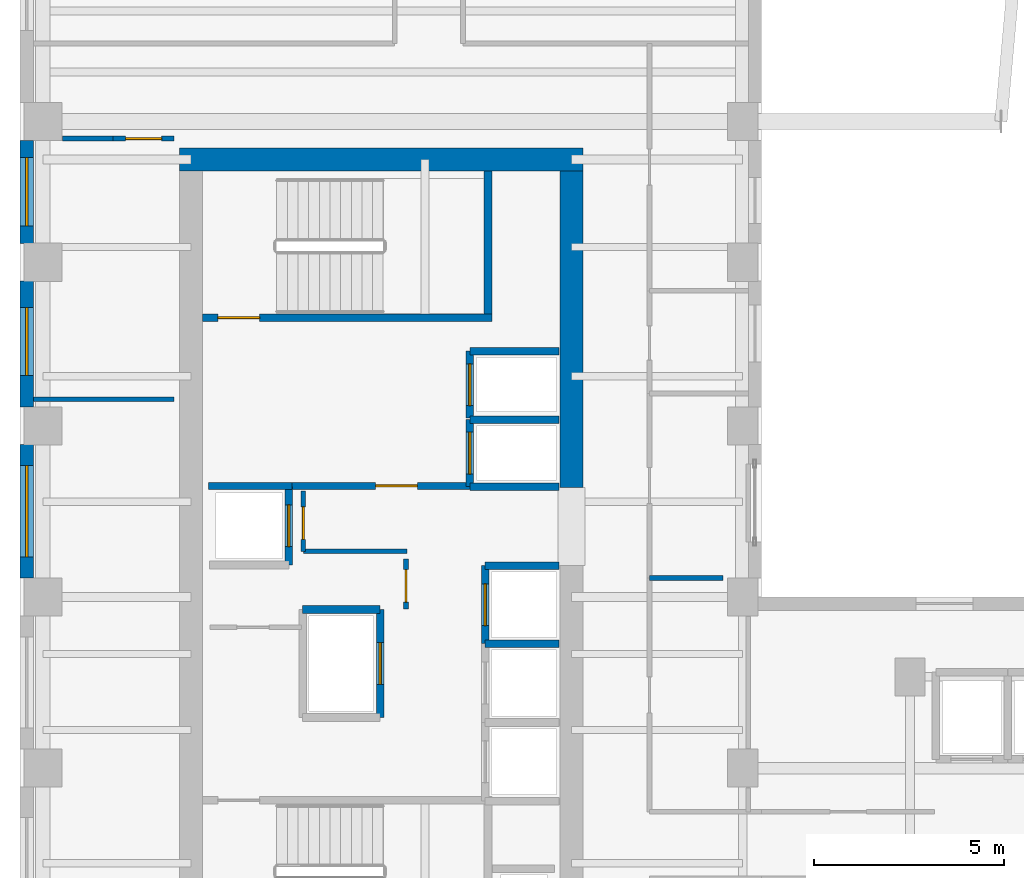
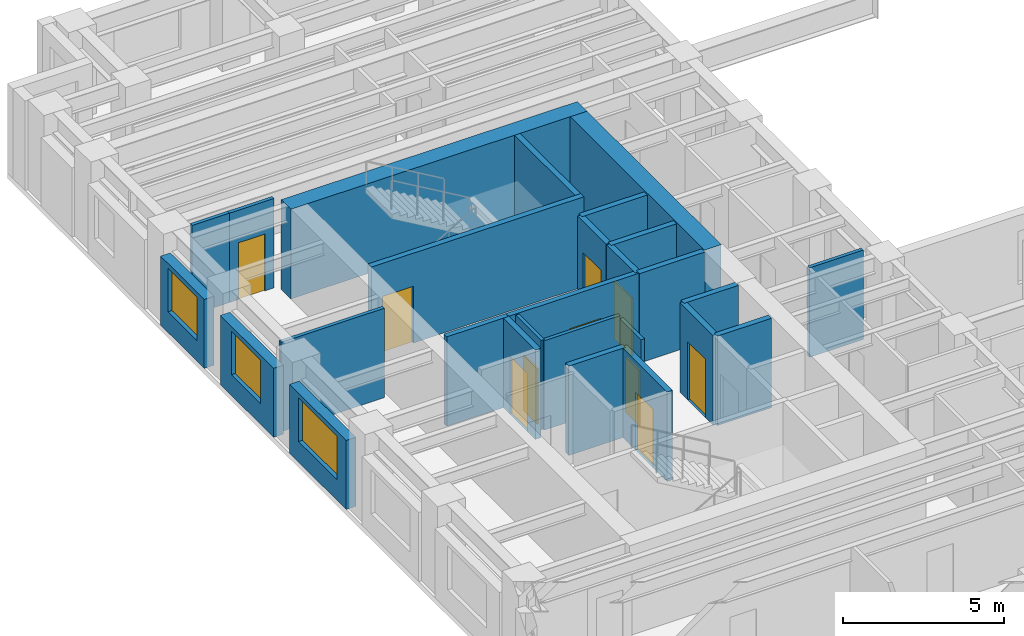
# One storey, part 7 of 13: 27 walls, 10 doors, 3 windows, 13 openings.
"""IFC4 building model written with IfcOpenShell, lengths in metres."""

import ifcopenshell
import ifcopenshell.guid

model = None  # the IFC model being written
_history = None  # IfcOwnerHistory: only IFC2X3 demands one
_inside = {}  # id of a spatial element -> (the spatial element, [elements in it])
_under = {}  # id of a project, library or spatial element -> (it, [spatial elements below it])
_declared = {}  # id of a project -> (the project, [libraries it declares])
_typed = {}  # id of a type object -> (the type object, [elements of that type])
_made_of = {}  # id of a material, layer set ... -> (it, [elements and type objects made of it])


def new_model(schema):
    """Start an empty IFC model of exactly this schema.

    Asked for "IFC4X3", IfcOpenShell would pick the latest addendum, in which some entities
    have other attributes; the version numbers below select the first issue.
    IFC2X3 requires an IfcOwnerHistory on every rooted entity: one is made here for all.
    """
    global model, _history
    if schema == "IFC4X3":
        model = ifcopenshell.file(schema_version=(4, 3, 0, 0))
    else:
        model = ifcopenshell.file(schema=schema)
    _inside.clear()
    _under.clear()
    _declared.clear()
    _typed.clear()
    _made_of.clear()
    _history = None
    if model.schema == "IFC2X3":
        org = make("IfcOrganization", Name="unknown")
        user = make(
            "IfcPersonAndOrganization",
            ThePerson=make("IfcPerson", FamilyName="unknown"),
            TheOrganization=org,
        )
        app = make(
            "IfcApplication",
            ApplicationDeveloper=org,
            Version="unknown",
            ApplicationFullName="unknown",
            ApplicationIdentifier="unknown",
        )
        _history = make(
            "IfcOwnerHistory",
            OwningUser=user,
            OwningApplication=app,
            ChangeAction="ADDED",
            CreationDate=0,
        )
    return model


def make(cls, **values):
    """One entity of the class cls with the attributes given. An attribute that is None is left unset."""
    return model.create_entity(
        cls, **{name: value for name, value in values.items() if value is not None}
    )


def rooted(cls, **values):
    """An entity with a GlobalId (a new one), such as an element, a storey or a relation."""
    return make(cls, GlobalId=ifcopenshell.guid.new(), OwnerHistory=_history, **values)


def si_unit(unit_type, name, prefix=None):
    """IfcSIUnit, for example si_unit("LENGTHUNIT", "METRE", prefix="MILLI")."""
    return make("IfcSIUnit", UnitType=unit_type, Prefix=prefix, Name=name)


def assignment(units):
    """IfcUnitAssignment: the units of a project."""
    return None if units is None else make("IfcUnitAssignment", Units=units)


def point(xyz):
    """IfcCartesianPoint."""
    return None if xyz is None else make("IfcCartesianPoint", Coordinates=xyz)


def direction(xyz):
    """IfcDirection."""
    return None if xyz is None else make("IfcDirection", DirectionRatios=xyz)


def frame(location, z_axis=None, x_axis=None):
    """IfcAxis2Placement3D, a coordinate frame: its origin and axes. An axis left out is left unset."""
    return make(
        "IfcAxis2Placement3D",
        Location=point(location),
        Axis=direction(z_axis),
        RefDirection=direction(x_axis),
    )


def frame_2d(location, x_axis=None):
    """IfcAxis2Placement2D, a coordinate frame in the plane: its origin and x axis."""
    return make(
        "IfcAxis2Placement2D", Location=point(location), RefDirection=direction(x_axis)
    )


def origin():
    """The frame at (0, 0, 0) with its axes left unset."""
    return frame((0.0, 0.0, 0.0))


def place(relative_to, where):
    """IfcLocalPlacement: puts the frame where relative to a parent placement (None: the world)."""
    return make(
        "IfcLocalPlacement", PlacementRelTo=relative_to, RelativePlacement=where
    )


def context(
    kind, dimensions, precision=None, world=None, true_north=None, identifier=None
):
    """IfcGeometricRepresentationContext, for example the 3D "Model" context."""
    return make(
        "IfcGeometricRepresentationContext",
        ContextIdentifier=identifier,
        ContextType=kind,
        CoordinateSpaceDimension=dimensions,
        Precision=precision,
        WorldCoordinateSystem=world,
        TrueNorth=true_north,
    )


def subcontext(parent, identifier, kind, view, scale=None):
    """IfcGeometricRepresentationSubContext, for example "Body" below "Model"."""
    return make(
        "IfcGeometricRepresentationSubContext",
        ContextIdentifier=identifier,
        ContextType=kind,
        ParentContext=parent,
        TargetScale=scale,
        TargetView=view,
    )


def project(units=None, contexts=None):
    """IfcProject with its units and contexts."""
    return rooted(
        "IfcProject",
        Name="project",
        RepresentationContexts=contexts,
        UnitsInContext=assignment(units),
    )


def spatial(cls, under=None, at=None, **own):
    """A site, building, storey or space (cls), placed at a placement, below another one or the project."""
    s = rooted(cls, ObjectPlacement=at, **own)
    if under is not None:
        _under.setdefault(under.id(), (under, []))[1].append(s)
    return s


def profile(cls, at=None, kind="AREA", **sizes):
    """A parametric profile (cls). Its sizes go by their IFC names, for example OverallWidth=200.0."""
    return make(cls, ProfileType=kind, Position=at, **sizes)


def rectangle(**sizes):
    """IfcRectangleProfileDef."""
    return profile("IfcRectangleProfileDef", **sizes)


def extrude(swept, where, along, depth):
    """IfcExtrudedAreaSolid: the profile swept, set in the frame where, extruded along a direction by depth."""
    return make(
        "IfcExtrudedAreaSolid",
        SweptArea=swept,
        Position=where,
        ExtrudedDirection=direction(along),
        Depth=depth,
    )


def shape(context_of_items, identifier, shape_type, items):
    """IfcShapeRepresentation: the items that make up one representation, for example the "Body"."""
    return make(
        "IfcShapeRepresentation",
        ContextOfItems=context_of_items,
        RepresentationIdentifier=identifier,
        RepresentationType=shape_type,
        Items=items,
    )


def source(mapping_origin, context_of_items, identifier, shape_type, items):
    """IfcRepresentationMap: a shape defined once, which mapped items show again and again."""
    return make(
        "IfcRepresentationMap",
        MappingOrigin=mapping_origin,
        MappedRepresentation=shape(context_of_items, identifier, shape_type, items),
    )


def transform(
    local_origin,
    x_axis=None,
    y_axis=None,
    z_axis=None,
    scale=None,
    scale2=None,
    scale3=None,
    uniform=True,
):
    """IfcCartesianTransformationOperator3D, or its non-uniform kind. x_axis, y_axis, z_axis: its Axis1, 2, 3."""
    if uniform:
        return make(
            "IfcCartesianTransformationOperator3D",
            Axis1=direction(x_axis),
            Axis2=direction(y_axis),
            LocalOrigin=point(local_origin),
            Scale=scale,
            Axis3=direction(z_axis),
        )
    return make(
        "IfcCartesianTransformationOperator3DnonUniform",
        Axis1=direction(x_axis),
        Axis2=direction(y_axis),
        LocalOrigin=point(local_origin),
        Scale=scale,
        Axis3=direction(z_axis),
        Scale2=scale2,
        Scale3=scale3,
    )


def mapped(mapping_source, mapping_target):
    """IfcMappedItem: shows the shape of a source again, moved by a transform."""
    return make(
        "IfcMappedItem", MappingSource=mapping_source, MappingTarget=mapping_target
    )


def material(Name=None, Category=None):
    """IfcMaterial."""
    return make("IfcMaterial", Name=Name, Category=Category)


def layer(
    of_material, thickness, ventilated=None, Name=None, Category=None, Priority=None
):
    """IfcMaterialLayer: one layer of a wall or slab, of a material (None: an air gap)."""
    return make(
        "IfcMaterialLayer",
        Material=of_material,
        LayerThickness=thickness,
        IsVentilated=ventilated,
        Name=Name,
        Category=Category,
        Priority=Priority,
    )


def layer_set(layers, Name=None):
    """IfcMaterialLayerSet."""
    return make("IfcMaterialLayerSet", MaterialLayers=layers, LayerSetName=Name)


def made_of(thing, what):
    """Note that an element or type object is made of a material, layer set ...; save() writes the relation."""
    if what is not None:
        _made_of.setdefault(what.id(), (what, []))[1].append(thing)
    return thing


def type_object(cls, material=None, **own):
    """A type object (cls), such as IfcWallType, which elements share."""
    return made_of(rooted(cls, **own), material)


def element(
    cls,
    number,
    at=None,
    inside=None,
    cuts=None,
    type_object=None,
    material=None,
    context=None,
    identifier="Body",
    shape_type=None,
    held_by="IfcProductDefinitionShape",
    body=None,
    shapes=None,
    **own,
):
    """One element of the class cls, such as IfcWall. Its Tag is "e" and its number.

    at: its placement. inside: the storey or other place that contains it. cuts: it is an
    opening in that element (IfcRelVoidsElement). A single representation is given by context,
    identifier, shape_type and body (its items); several are given by shapes. held_by: the class
    of the entity that holds the representations. save() writes the other relations.
    """
    e = rooted(cls, Tag="e%d" % number, ObjectPlacement=at, **own)
    if body is not None:
        shapes = [shape(context, identifier, shape_type, body)]
    if shapes is not None:
        e.Representation = make(held_by, Representations=shapes)
    if inside is not None:
        _inside.setdefault(inside.id(), (inside, []))[1].append(e)
    if cuts is not None:
        rooted(
            "IfcRelVoidsElement", RelatingBuildingElement=cuts, RelatedOpeningElement=e
        )
    if type_object is not None:
        _typed.setdefault(type_object.id(), (type_object, []))[1].append(e)
    return made_of(e, material)


def fill(opening, filler):
    """IfcRelFillsElement: the door or window that sits in an opening."""
    return rooted(
        "IfcRelFillsElement",
        RelatingOpeningElement=opening,
        RelatedBuildingElement=filler,
    )


def aggregate(whole, parts):
    """IfcRelAggregates: a whole, such as a stair, and the parts it consists of."""
    return rooted("IfcRelAggregates", RelatingObject=whole, RelatedObjects=parts)


def save(model, path):
    """Write the relations noted so far, then the file.

    IfcRelAggregates (storeys below a building ...), IfcRelContainedInSpatialStructure (elements
    in a storey), IfcRelDefinesByType, IfcRelAssociatesMaterial and IfcRelDeclares: one each for
    every whole, place, type object, material and project.
    """
    for whole, parts in _under.values():
        aggregate(whole, parts)
    for where, things in _inside.values():
        rooted(
            "IfcRelContainedInSpatialStructure",
            RelatedElements=things,
            RelatingStructure=where,
        )
    for kind, things in _typed.values():
        rooted("IfcRelDefinesByType", RelatedObjects=things, RelatingType=kind)
    for what, things in _made_of.values():
        rooted("IfcRelAssociatesMaterial", RelatedObjects=things, RelatingMaterial=what)
    for by, libraries in _declared.values():
        rooted("IfcRelDeclares", RelatingContext=by, RelatedDefinitions=libraries)
    model.write(path)


model = new_model("IFC4")

# Units and contexts
model_context = context("Model", 3, precision=1e-05, world=origin(), true_north=direction((0.0, 1.0)))
body_context = subcontext(model_context, "Body", "Model", "MODEL_VIEW")
ifc_project = project(units=[si_unit("LENGTHUNIT", "METRE"), si_unit("AREAUNIT", "SQUARE_METRE"), si_unit("VOLUMEUNIT", "CUBIC_METRE"), si_unit("PLANEANGLEUNIT", "RADIAN"), si_unit("MASSUNIT", "GRAM", prefix="KILO")], contexts=[model_context])

# Site, building, storey
site_placement = place(None, origin())
site = spatial("IfcSite", under=ifc_project, at=site_placement, CompositionType="ELEMENT")
building_placement = place(site_placement, origin())
building = spatial("IfcBuilding", under=site, at=building_placement, Name="Kharzan Plaza Tower", CompositionType="ELEMENT")
storey_placement = place(building_placement, frame((0.0, 0.0, 153.89990234375)))
storey = spatial("IfcBuildingStorey", under=building, at=storey_placement, Name="L41", CompositionType="ELEMENT", Elevation=153.89990234375)

# Wall, opening, window
ifc_material_1 = material(Name="Concrete C40/50", Category="concrete")
ifc_layer_1 = layer(ifc_material_1, 0.35009765625)
ifc_layer_set_1 = layer_set([ifc_layer_1], Name="Concrete C40/50")
wall_type_1 = type_object("IfcWallType", Name="WL-EXT-MAS-Z3", PredefinedType="SOLIDWALL", material=ifc_layer_set_1)
wall_1_placement = place(storey_placement, frame((0.175048828125, 30.001953125, 0.0), z_axis=(0.0, 0.0, 1.0), x_axis=(0.0, -1.0, 0.0)))
wall_1 = element("IfcWall", 1, at=wall_1_placement, inside=storey, type_object=wall_type_1, Name="L41 Masonry-Frame Exterior Wall 12", PredefinedType="SOLIDWALL", context=body_context, shape_type="SweptSolid", body=[
    extrude(rectangle(XDim=2.703857421875, YDim=0.35009765625, at=frame_2d((1.35205078125, 0.0))), origin(), (0.0, 0.0, 1.0), 2.612060546875),
])
opening_1_placement = place(wall_1_placement, frame((0.451904296875, 0.0, 0.780029296875)))
opening_1 = element("IfcOpeningElement", 2, at=opening_1_placement, cuts=wall_1, Name="Opening W1", PredefinedType="OPENING", context=body_context, shape_type="SweptSolid", body=[
    extrude(rectangle(XDim=1.800048828125, YDim=1.652099609375, at=frame_2d((0.89990234375, 0.826171875))), frame((0.0, 0.18505859375, 0.0), z_axis=(0.0, -1.0, 0.0), x_axis=(1.0, 0.0, 0.0)), (0.0, 0.0, 1.0), 0.3701171875),
])
ifc_material_2 = material(Name="Low-E Double Glazing", Category="glass")
window_type_1 = type_object("IfcWindowType", Name="WN-REC-1800x2100", PartitioningType="SINGLE_PANEL", PredefinedType="WINDOW", material=ifc_material_2)
shared_shape_1 = source(origin(), body_context, "Body", "SweptSolid", [
    extrude(rectangle(XDim=1.800048828125, YDim=1.652099609375, at=frame_2d((0.89990234375, 0.826171875))), frame((0.0, 0.030029296875, 0.0), z_axis=(0.0, -1.0, 0.0), x_axis=(1.0, 0.0, 0.0)), (0.0, 0.0, 1.0), 0.06005859375),
])
window_1_placement = place(opening_1_placement, origin())
window_1 = element("IfcWindow", 3, at=window_1_placement, inside=storey, type_object=window_type_1, Name="L41 Recessed Solar-Control Window 12-1", OverallHeight=1.652099609375, OverallWidth=1.800048828125, PartitioningType="SINGLE_PANEL", PredefinedType="WINDOW", context=body_context, shape_type="MappedRepresentation", body=[
    mapped(shared_shape_1, transform((0.0, 0.0, 0.0), x_axis=(1.0, 0.0, 0.0), y_axis=(0.0, 1.0, 0.0), z_axis=(0.0, 0.0, 1.0))),
])
fill(opening_1, window_1)

wall_2_placement = place(storey_placement, frame((0.175048828125, 26.302001953125, 0.0), z_axis=(0.0, 0.0, 1.0), x_axis=(0.0, -1.0, 0.0)))
wall_2 = element("IfcWall", 4, at=wall_2_placement, inside=storey, type_object=wall_type_1, Name="L41 Masonry-Frame Exterior Wall 13", PredefinedType="SOLIDWALL", context=body_context, shape_type="SweptSolid", body=[
    extrude(rectangle(XDim=3.303955078125, YDim=0.35009765625, at=frame_2d((1.65185546875, 0.0))), origin(), (0.0, 0.0, 1.0), 2.612060546875),
])
opening_2_placement = place(wall_2_placement, frame((0.68603515625, 0.0, 0.780029296875)))
opening_2 = element("IfcOpeningElement", 5, at=opening_2_placement, cuts=wall_2, Name="Opening W1", PredefinedType="OPENING", context=body_context, shape_type="SweptSolid", body=[
    extrude(rectangle(XDim=1.800048828125, YDim=1.652099609375, at=frame_2d((0.89990234375, 0.826171875))), frame((0.0, 0.18505859375, 0.0), z_axis=(0.0, -1.0, 0.0), x_axis=(1.0, 0.0, 0.0)), (0.0, 0.0, 1.0), 0.3701171875),
])
window_2_placement = place(opening_2_placement, origin())
window_2 = element("IfcWindow", 6, at=window_2_placement, inside=storey, type_object=window_type_1, Name="L41 Recessed Solar-Control Window 13-1", OverallHeight=1.652099609375, OverallWidth=1.800048828125, PartitioningType="SINGLE_PANEL", PredefinedType="WINDOW", context=body_context, shape_type="MappedRepresentation", body=[
    mapped(shared_shape_1, transform((0.0, 0.0, 0.0), x_axis=(1.0, 0.0, 0.0), y_axis=(0.0, 1.0, 0.0), z_axis=(0.0, 0.0, 1.0))),
])
fill(opening_2, window_2)

wall_3_placement = place(storey_placement, frame((0.175048828125, 22.001953125, 0.0), z_axis=(0.0, 0.0, 1.0), x_axis=(0.0, -1.0, 0.0)))
wall_3 = element("IfcWall", 7, at=wall_3_placement, inside=storey, type_object=wall_type_1, Name="L41 Masonry-Frame Exterior Wall 14", PredefinedType="SOLIDWALL", context=body_context, shape_type="SweptSolid", body=[
    extrude(rectangle(XDim=3.50390625, YDim=0.35009765625, at=frame_2d((1.751953125, 0.0))), origin(), (0.0, 0.0, 1.0), 2.612060546875),
])
opening_3_placement = place(wall_3_placement, frame((0.552001953125, 0.0, 0.780029296875)))
opening_3 = element("IfcOpeningElement", 8, at=opening_3_placement, cuts=wall_3, Name="Opening W2", PredefinedType="OPENING", context=body_context, shape_type="SweptSolid", body=[
    extrude(rectangle(XDim=2.39990234375, YDim=1.652099609375, at=frame_2d((1.199951171875, 0.826171875))), frame((0.0, 0.18505859375, 0.0), z_axis=(0.0, -1.0, 0.0), x_axis=(1.0, 0.0, 0.0)), (0.0, 0.0, 1.0), 0.3701171875),
])
window_type_2 = type_object("IfcWindowType", Name="WN-REC-2400x2100", PartitioningType="SINGLE_PANEL", PredefinedType="WINDOW", material=ifc_material_2)
shared_shape_2 = source(origin(), body_context, "Body", "SweptSolid", [
    extrude(rectangle(XDim=2.39990234375, YDim=1.652099609375, at=frame_2d((1.199951171875, 0.826171875))), frame((0.0, 0.030029296875, 0.0), z_axis=(0.0, -1.0, 0.0), x_axis=(1.0, 0.0, 0.0)), (0.0, 0.0, 1.0), 0.06005859375),
])
window_3_placement = place(opening_3_placement, origin())
window_3 = element("IfcWindow", 9, at=window_3_placement, inside=storey, type_object=window_type_2, Name="L41 Wide Recessed Solar-Control Window 14-1", OverallHeight=1.652099609375, OverallWidth=2.39990234375, PartitioningType="SINGLE_PANEL", PredefinedType="WINDOW", context=body_context, shape_type="MappedRepresentation", body=[
    mapped(shared_shape_2, transform((0.0, 0.0, 0.0), x_axis=(1.0, 0.0, 0.0), y_axis=(0.0, 1.0, 0.0), z_axis=(0.0, 0.0, 1.0))),
])
fill(opening_3, window_3)

# Wall, opening, door
ifc_layer_2 = layer(ifc_material_1, 0.179931640625)
ifc_layer_set_2 = layer_set([ifc_layer_2], Name="Concrete C40/50")
wall_type_2 = type_object("IfcWallType", Name="WL-INT-FIRE-180", PredefinedType="PARTITIONING", material=ifc_layer_set_2)
wall_4_placement = place(storey_placement, frame((7.14990234375, 20.919921875, 0.0), z_axis=(0.0, 0.0, 1.0), x_axis=(1.0, 0.0, 0.0)))
wall_4 = element("IfcWall", 10, at=wall_4_placement, inside=storey, type_object=wall_type_2, Name="L41 Interior Partition CA-FF-S", PredefinedType="PARTITIONING", context=body_context, shape_type="SweptSolid", body=[
    extrude(rectangle(XDim=4.68017578125, YDim=0.179931640625, at=frame_2d((2.340087890625, 0.0))), origin(), (0.0, 0.0, 1.0), 3.385009765625),
])
opening_4_placement = place(wall_4_placement, frame((2.199951171875, 0.0, 0.0)))
opening_4 = element("IfcOpeningElement", 11, at=opening_4_placement, cuts=wall_4, Name="Opening FD1", PredefinedType="OPENING", context=body_context, shape_type="SweptSolid", body=[
    extrude(rectangle(XDim=1.10009765625, YDim=2.14990234375, at=frame_2d((0.550048828125, 1.074951171875))), frame((0.0, 0.099853515625, 0.0), z_axis=(0.0, -1.0, 0.0), x_axis=(1.0, 0.0, 0.0)), (0.0, 0.0, 1.0), 0.199951171875),
])
ifc_material_3 = material(Name="Fire-Rated Acoustic Vision-Panel Steel", Category="steel")
door_type_1 = type_object("IfcDoorType", Name="DR-FIRE-LOBBY", OperationType="NOTDEFINED", PredefinedType="DOOR", material=ifc_material_3)
shared_shape_3 = source(origin(), body_context, "Body", "SweptSolid", [
    extrude(rectangle(XDim=1.10009765625, YDim=2.14990234375, at=frame_2d((0.550048828125, 1.074951171875))), frame((0.0, 0.02490234375, 0.0), z_axis=(0.0, -1.0, 0.0), x_axis=(1.0, 0.0, 0.0)), (0.0, 0.0, 1.0), 0.050048828125),
])
door_1_placement = place(opening_4_placement, origin())
door_1 = element("IfcDoor", 12, at=door_1_placement, inside=storey, type_object=door_type_1, Name="L41 Firefighting Lobby Door", OperationType="SINGLE_SWING_LEFT", OverallHeight=2.14990234375, OverallWidth=1.10009765625, PredefinedType="DOOR", context=body_context, shape_type="MappedRepresentation", body=[
    mapped(shared_shape_3, transform((0.0, 0.0, 0.0), x_axis=(1.0, 0.0, 0.0), y_axis=(0.0, 1.0, 0.0), z_axis=(0.0, 0.0, 1.0))),
])
fill(opening_4, door_1)

ifc_material_4 = material(Name="Fire-Rated Gypsum Board Partition", Category="gypsum")
ifc_layer_3 = layer(ifc_material_4, 0.125)
ifc_layer_set_3 = layer_set([ifc_layer_3], Name="Fire-Rated Gypsum Board Partition")
wall_type_3 = type_object("IfcWallType", Name="WL-INT-PART-125", PredefinedType="PARTITIONING", material=ifc_layer_set_3)
wall_5_placement = place(storey_placement, frame((10.14990234375, 17.679931640625, 0.0), z_axis=(0.0, 0.0, 1.0), x_axis=(0.0, 1.0, 0.0)))
wall_5 = element("IfcWall", 13, at=wall_5_placement, inside=storey, type_object=wall_type_3, Name="L41 Interior Partition CA-K2A", PredefinedType="PARTITIONING", context=body_context, shape_type="SweptSolid", body=[
    extrude(rectangle(XDim=1.320068359375, YDim=0.125, at=frame_2d((0.66015625, 0.0))), origin(), (0.0, 0.0, 1.0), 3.385009765625),
])
opening_5_placement = place(wall_5_placement, frame((0.18505859375, 0.0, 0.0)))
opening_5 = element("IfcOpeningElement", 14, at=opening_5_placement, cuts=wall_5, Name="Opening RD1", PredefinedType="OPENING", context=body_context, shape_type="SweptSolid", body=[
    extrude(rectangle(XDim=0.85009765625, YDim=2.10009765625, at=frame_2d((0.425048828125, 1.050048828125))), frame((0.0, 0.072509765625, 0.0), z_axis=(0.0, -1.0, 0.0), x_axis=(1.0, 0.0, 0.0)), (0.0, 0.0, 1.0), 0.14501953125),
])
ifc_material_5 = material(Name="Powder-Coated Fire-Rated Steel", Category="steel")
door_type_2 = type_object("IfcDoorType", Name="DR-RISER-900", OperationType="NOTDEFINED", PredefinedType="DOOR", material=ifc_material_5)
shared_shape_4 = source(origin(), body_context, "Body", "SweptSolid", [
    extrude(rectangle(XDim=0.85009765625, YDim=2.10009765625, at=frame_2d((0.425048828125, 1.050048828125))), frame((0.0, 0.02490234375, 0.0), z_axis=(0.0, -1.0, 0.0), x_axis=(1.0, 0.0, 0.0)), (0.0, 0.0, 1.0), 0.050048828125),
])
door_2_placement = place(opening_5_placement, origin())
door_2 = element("IfcDoor", 15, at=door_2_placement, inside=storey, type_object=door_type_2, Name="L41 Core Mechanical Store Door", OperationType="SINGLE_SWING_RIGHT", OverallHeight=2.10009765625, OverallWidth=0.85009765625, PredefinedType="DOOR", context=body_context, shape_type="MappedRepresentation", body=[
    mapped(shared_shape_4, transform((0.0, 0.0, 0.0), x_axis=(1.0, 0.0, 0.0), y_axis=(0.0, 1.0, 0.0), z_axis=(0.0, 0.0, 1.0))),
])
fill(opening_5, door_2)

wall_6_placement = place(storey_placement, frame((7.449951171875, 19.199951171875, 0.0), z_axis=(0.0, 0.0, 1.0), x_axis=(0.0, 1.0, 0.0)))
wall_6 = element("IfcWall", 16, at=wall_6_placement, inside=storey, type_object=wall_type_3, Name="L41 Interior Partition CA-K2B", PredefinedType="PARTITIONING", context=body_context, shape_type="SweptSolid", body=[
    extrude(rectangle(XDim=1.580078125, YDim=0.125, at=frame_2d((0.7900390625, 0.0))), origin(), (0.0, 0.0, 1.0), 3.385009765625),
])
opening_6_placement = place(wall_6_placement, frame((0.31494140625, 0.0, 0.0)))
opening_6 = element("IfcOpeningElement", 17, at=opening_6_placement, cuts=wall_6, Name="Opening RD1", PredefinedType="OPENING", context=body_context, shape_type="SweptSolid", body=[
    extrude(rectangle(XDim=0.85009765625, YDim=2.10009765625, at=frame_2d((0.425048828125, 1.050048828125))), frame((0.0, 0.072509765625, 0.0), z_axis=(0.0, -1.0, 0.0), x_axis=(1.0, 0.0, 0.0)), (0.0, 0.0, 1.0), 0.14501953125),
])
door_3_placement = place(opening_6_placement, origin())
door_3 = element("IfcDoor", 18, at=door_3_placement, inside=storey, type_object=door_type_2, Name="L41 Core Plant Store Door", OperationType="SINGLE_SWING_LEFT", OverallHeight=2.10009765625, OverallWidth=0.85009765625, PredefinedType="DOOR", context=body_context, shape_type="MappedRepresentation", body=[
    mapped(shared_shape_4, transform((0.0, 0.0, 0.0), x_axis=(1.0, 0.0, 0.0), y_axis=(0.0, 1.0, 0.0), z_axis=(0.0, 0.0, 1.0))),
])
fill(opening_6, door_3)

wall_7_placement = place(storey_placement, frame((2.449951171875, 30.050048828125, 0.0), z_axis=(0.0, 0.0, 1.0), x_axis=(1.0, 0.0, 0.0)))
wall_7 = element("IfcWall", 19, at=wall_7_placement, inside=storey, type_object=wall_type_3, Name="L41 Interior Partition SH-RWND", PredefinedType="PARTITIONING", context=body_context, shape_type="SweptSolid", body=[
    extrude(rectangle(XDim=1.60009765625, YDim=0.125, at=frame_2d((0.800048828125, 0.0))), origin(), (0.0, 0.0, 1.0), 3.385009765625),
])
opening_7_placement = place(wall_7_placement, frame((0.324951171875, 0.0, 0.0)))
opening_7 = element("IfcOpeningElement", 20, at=opening_7_placement, cuts=wall_7, Name="Opening OD1", PredefinedType="OPENING", context=body_context, shape_type="SweptSolid", body=[
    extrude(rectangle(XDim=0.949951171875, YDim=2.14990234375, at=frame_2d((0.47509765625, 1.074951171875))), frame((0.0, 0.072509765625, 0.0), z_axis=(0.0, -1.0, 0.0), x_axis=(1.0, 0.0, 0.0)), (0.0, 0.0, 1.0), 0.14501953125),
])
ifc_material_6 = material(Name="Acoustic Solid-Core Stained Oak", Category="timber")
door_type_3 = type_object("IfcDoorType", Name="DR-OFF-SINGLE", OperationType="NOTDEFINED", PredefinedType="DOOR", material=ifc_material_6)
shared_shape_5 = source(origin(), body_context, "Body", "SweptSolid", [
    extrude(rectangle(XDim=0.949951171875, YDim=2.14990234375, at=frame_2d((0.47509765625, 1.074951171875))), frame((0.0, 0.02490234375, 0.0), z_axis=(0.0, -1.0, 0.0), x_axis=(1.0, 0.0, 0.0)), (0.0, 0.0, 1.0), 0.050048828125),
])
door_4_placement = place(opening_7_placement, origin())
door_4 = element("IfcDoor", 21, at=door_4_placement, inside=storey, type_object=door_type_3, Name="L41 West Office 2 Door", OperationType="SINGLE_SWING_LEFT", OverallHeight=2.14990234375, OverallWidth=0.949951171875, PredefinedType="DOOR", context=body_context, shape_type="MappedRepresentation", body=[
    mapped(shared_shape_5, transform((0.0, 0.0, 0.0), x_axis=(1.0, 0.0, 0.0), y_axis=(0.0, 1.0, 0.0), z_axis=(0.0, 0.0, 1.0))),
])
fill(opening_7, door_4)

ifc_layer_4 = layer(ifc_material_1, 0.199951171875)
ifc_layer_set_4 = layer_set([ifc_layer_4], Name="Concrete C40/50")
wall_type_4 = type_object("IfcWallType", Name="WL-INT-SHAFT-200", PredefinedType="PARTITIONING", material=ifc_layer_set_4)
wall_8_placement = place(storey_placement, frame((11.830078125, 20.89990234375, 0.0), z_axis=(0.0, 0.0, 1.0), x_axis=(0.0, 1.0, 0.0)))
wall_8 = element("IfcWall", 22, at=wall_8_placement, inside=storey, type_object=wall_type_4, Name="L41 Interior Partition SHF-FFL-1-W", PredefinedType="PARTITIONING", context=body_context, shape_type="SweptSolid", body=[
    extrude(rectangle(XDim=1.760009765625, YDim=0.199951171875, at=frame_2d((0.8798828125, 0.0))), origin(), (0.0, 0.0, 1.0), 3.385009765625),
])
opening_8_placement = place(wall_8_placement, frame((0.330078125, 0.0, 0.0)))
opening_8 = element("IfcOpeningElement", 23, at=opening_8_placement, cuts=wall_8, Name="Opening LD", PredefinedType="OPENING", context=body_context, shape_type="SweptSolid", body=[
    extrude(rectangle(XDim=1.10009765625, YDim=2.199951171875, at=frame_2d((0.550048828125, 1.10009765625))), frame((0.0, 0.10986328125, 0.0), z_axis=(0.0, -1.0, 0.0), x_axis=(1.0, 0.0, 0.0)), (0.0, 0.0, 1.0), 0.219970703125),
])
ifc_material_7 = material(Name="Brushed Stainless Steel", Category="steel")
door_type_4 = type_object("IfcDoorType", Name="DR-LIFT-SLIDE", OperationType="SLIDING_TO_LEFT", PredefinedType="DOOR", material=ifc_material_7)
shared_shape_6 = source(origin(), body_context, "Body", "SweptSolid", [
    extrude(rectangle(XDim=1.10009765625, YDim=2.199951171875, at=frame_2d((0.550048828125, 1.10009765625))), frame((0.0, 0.02490234375, 0.0), z_axis=(0.0, -1.0, 0.0), x_axis=(1.0, 0.0, 0.0)), (0.0, 0.0, 1.0), 0.050048828125),
])
door_5_placement = place(opening_8_placement, origin())
door_5 = element("IfcDoor", 24, at=door_5_placement, inside=storey, type_object=door_type_4, Name="L41 Firefighting Lift FFL-1 Sliding Landing Door", OperationType="SLIDING_TO_LEFT", OverallHeight=2.199951171875, OverallWidth=1.10009765625, PredefinedType="DOOR", context=body_context, shape_type="MappedRepresentation", body=[
    mapped(shared_shape_6, transform((0.0, 0.0, 0.0), x_axis=(1.0, 0.0, 0.0), y_axis=(0.0, 1.0, 0.0), z_axis=(0.0, 0.0, 1.0))),
])
fill(opening_8, door_5)

wall_9_placement = place(storey_placement, frame((11.830078125, 22.699951171875, 0.0), z_axis=(0.0, 0.0, 1.0), x_axis=(0.0, 1.0, 0.0)))
wall_9 = element("IfcWall", 25, at=wall_9_placement, inside=storey, type_object=wall_type_4, Name="L41 Interior Partition SHF-FFL-2-W", PredefinedType="PARTITIONING", context=body_context, shape_type="SweptSolid", body=[
    extrude(rectangle(XDim=1.760009765625, YDim=0.199951171875, at=frame_2d((0.8798828125, 0.0))), origin(), (0.0, 0.0, 1.0), 3.385009765625),
])
opening_9_placement = place(wall_9_placement, frame((0.330078125, 0.0, 0.0)))
opening_9 = element("IfcOpeningElement", 26, at=opening_9_placement, cuts=wall_9, Name="Opening LD", PredefinedType="OPENING", context=body_context, shape_type="SweptSolid", body=[
    extrude(rectangle(XDim=1.10009765625, YDim=2.199951171875, at=frame_2d((0.550048828125, 1.10009765625))), frame((0.0, 0.10986328125, 0.0), z_axis=(0.0, -1.0, 0.0), x_axis=(1.0, 0.0, 0.0)), (0.0, 0.0, 1.0), 0.219970703125),
])
door_6_placement = place(opening_9_placement, origin())
door_6 = element("IfcDoor", 27, at=door_6_placement, inside=storey, type_object=door_type_4, Name="L41 Firefighting Lift FFL-2 Sliding Landing Door", OperationType="SLIDING_TO_LEFT", OverallHeight=2.199951171875, OverallWidth=1.10009765625, PredefinedType="DOOR", context=body_context, shape_type="MappedRepresentation", body=[
    mapped(shared_shape_6, transform((0.0, 0.0, 0.0), x_axis=(1.0, 0.0, 0.0), y_axis=(0.0, 1.0, 0.0), z_axis=(0.0, 0.0, 1.0))),
])
fill(opening_9, door_6)

wall_10_placement = place(storey_placement, frame((12.22998046875, 16.77001953125, 0.0), z_axis=(0.0, 0.0, 1.0), x_axis=(0.0, 1.0, 0.0)))
wall_10 = element("IfcWall", 28, at=wall_10_placement, inside=storey, type_object=wall_type_4, Name="L41 Interior Partition SHF-PL-H3-W", PredefinedType="PARTITIONING", context=body_context, shape_type="SweptSolid", body=[
    extrude(rectangle(XDim=2.050048828125, YDim=0.199951171875, at=frame_2d((1.02490234375, 0.0))), origin(), (0.0, 0.0, 1.0), 3.385009765625),
])
opening_10_placement = place(wall_10_placement, frame((0.47509765625, 0.0, 0.0)))
opening_10 = element("IfcOpeningElement", 29, at=opening_10_placement, cuts=wall_10, Name="Opening LD", PredefinedType="OPENING", context=body_context, shape_type="SweptSolid", body=[
    extrude(rectangle(XDim=1.10009765625, YDim=2.199951171875, at=frame_2d((0.550048828125, 1.10009765625))), frame((0.0, 0.10986328125, 0.0), z_axis=(0.0, -1.0, 0.0), x_axis=(1.0, 0.0, 0.0)), (0.0, 0.0, 1.0), 0.219970703125),
])
door_7_placement = place(opening_10_placement, origin())
door_7 = element("IfcDoor", 30, at=door_7_placement, inside=storey, type_object=door_type_4, Name="L41 High-Rise Passenger Lift PL-H3 Sliding Landing Door", OperationType="SLIDING_TO_LEFT", OverallHeight=2.199951171875, OverallWidth=1.10009765625, PredefinedType="DOOR", context=body_context, shape_type="MappedRepresentation", body=[
    mapped(shared_shape_6, transform((0.0, 0.0, 0.0), x_axis=(1.0, 0.0, 0.0), y_axis=(0.0, 1.0, 0.0), z_axis=(0.0, 0.0, 1.0))),
])
fill(opening_10, door_7)

wall_11_placement = place(storey_placement, frame((7.070068359375, 18.840087890625, 0.0), z_axis=(0.0, 0.0, 1.0), x_axis=(0.0, 1.0, 0.0)))
wall_11 = element("IfcWall", 31, at=wall_11_placement, inside=storey, type_object=wall_type_4, Name="L41 Interior Partition SHF-PL-H4-E", PredefinedType="PARTITIONING", context=body_context, shape_type="SweptSolid", body=[
    extrude(rectangle(XDim=2.059814453125, YDim=0.199951171875, at=frame_2d((1.02978515625, 0.0))), origin(), (0.0, 0.0, 1.0), 3.385009765625),
])
opening_11_placement = place(wall_11_placement, frame((0.47998046875, 0.0, 0.0)))
opening_11 = element("IfcOpeningElement", 32, at=opening_11_placement, cuts=wall_11, Name="Opening LD", PredefinedType="OPENING", context=body_context, shape_type="SweptSolid", body=[
    extrude(rectangle(XDim=1.10009765625, YDim=2.199951171875, at=frame_2d((0.550048828125, 1.10009765625))), frame((0.0, 0.10986328125, 0.0), z_axis=(0.0, -1.0, 0.0), x_axis=(1.0, 0.0, 0.0)), (0.0, 0.0, 1.0), 0.219970703125),
])
door_8_placement = place(opening_11_placement, origin())
door_8 = element("IfcDoor", 33, at=door_8_placement, inside=storey, type_object=door_type_4, Name="L41 High-Rise Passenger Lift PL-H4 Sliding Landing Door", OperationType="SLIDING_TO_LEFT", OverallHeight=2.199951171875, OverallWidth=1.10009765625, PredefinedType="DOOR", context=body_context, shape_type="MappedRepresentation", body=[
    mapped(shared_shape_6, transform((0.0, 0.0, 0.0), x_axis=(1.0, 0.0, 0.0), y_axis=(0.0, 1.0, 0.0), z_axis=(0.0, 0.0, 1.0))),
])
fill(opening_11, door_8)

wall_12_placement = place(storey_placement, frame((9.469970703125, 14.830078125, 0.0), z_axis=(0.0, 0.0, 1.0), x_axis=(0.0, 1.0, 0.0)))
wall_12 = element("IfcWall", 34, at=wall_12_placement, inside=storey, type_object=wall_type_4, Name="L41 Interior Partition SHF-SVL-1-E", PredefinedType="PARTITIONING", context=body_context, shape_type="SweptSolid", body=[
    extrude(rectangle(XDim=2.83984375, YDim=0.199951171875, at=frame_2d((1.419921875, 0.0))), origin(), (0.0, 0.0, 1.0), 3.385009765625),
])
opening_12_placement = place(wall_12_placement, frame((0.8701171875, 0.0, 0.0)))
opening_12 = element("IfcOpeningElement", 35, at=opening_12_placement, cuts=wall_12, Name="Opening LD", PredefinedType="OPENING", context=body_context, shape_type="SweptSolid", body=[
    extrude(rectangle(XDim=1.10009765625, YDim=2.199951171875, at=frame_2d((0.550048828125, 1.10009765625))), frame((0.0, 0.10986328125, 0.0), z_axis=(0.0, -1.0, 0.0), x_axis=(1.0, 0.0, 0.0)), (0.0, 0.0, 1.0), 0.219970703125),
])
door_9_placement = place(opening_12_placement, origin())
door_9 = element("IfcDoor", 36, at=door_9_placement, inside=storey, type_object=door_type_4, Name="L41 Service Lift SVL-1 Sliding Landing Door", OperationType="SLIDING_TO_LEFT", OverallHeight=2.199951171875, OverallWidth=1.10009765625, PredefinedType="DOOR", context=body_context, shape_type="MappedRepresentation", body=[
    mapped(shared_shape_6, transform((0.0, 0.0, 0.0), x_axis=(1.0, 0.0, 0.0), y_axis=(0.0, 1.0, 0.0), z_axis=(0.0, 0.0, 1.0))),
])
fill(opening_12, door_9)

ifc_material_8 = material(Name="Concrete C50/60", Category="concrete")
ifc_layer_5 = layer(ifc_material_8, 0.199951171875)
ifc_layer_set_5 = layer_set([ifc_layer_5], Name="Concrete C50/60")
wall_type_5 = type_object("IfcWallType", Name="WL-SHAFT-RC200", PredefinedType="SHEAR", material=ifc_layer_set_5)
wall_13_placement = place(storey_placement, frame((4.802001953125, 25.344970703125, 0.0), z_axis=(0.0, 0.0, 1.0), x_axis=(1.0, 0.0, 0.0)))
wall_13 = element("IfcWall", 37, at=wall_13_placement, inside=storey, type_object=wall_type_5, Name="L41 Stair ST-2 South RC Shaft Wall", PredefinedType="SHEAR", context=body_context, shape_type="SweptSolid", body=[
    extrude(rectangle(XDim=7.60302734375, YDim=0.199951171875, at=frame_2d((3.801513671875, 0.0))), origin(), (0.0, 0.0, 1.0), 3.400146484375),
])
opening_13_placement = place(wall_13_placement, frame((0.39990234375, 0.0, 0.0)))
opening_13 = element("IfcOpeningElement", 38, at=opening_13_placement, cuts=wall_13, Name="Opening SD1", PredefinedType="OPENING", context=body_context, shape_type="SweptSolid", body=[
    extrude(rectangle(XDim=1.10009765625, YDim=2.14990234375, at=frame_2d((0.550048828125, 1.074951171875))), frame((0.0, 0.10986328125, 0.0), z_axis=(0.0, -1.0, 0.0), x_axis=(1.0, 0.0, 0.0)), (0.0, 0.0, 1.0), 0.219970703125),
])
ifc_material_9 = material(Name="Fire-Rated Hollow Galvanized Steel", Category="steel")
door_type_5 = type_object("IfcDoorType", Name="DR-STAIR-FD120", OperationType="NOTDEFINED", PredefinedType="DOOR", material=ifc_material_9)
shared_shape_7 = source(origin(), body_context, "Body", "SweptSolid", [
    extrude(rectangle(XDim=1.10009765625, YDim=2.14990234375, at=frame_2d((0.550048828125, 1.074951171875))), frame((0.0, 0.02490234375, 0.0), z_axis=(0.0, -1.0, 0.0), x_axis=(1.0, 0.0, 0.0)), (0.0, 0.0, 1.0), 0.050048828125),
])
door_10_placement = place(opening_13_placement, origin())
door_10 = element("IfcDoor", 39, at=door_10_placement, inside=storey, type_object=door_type_5, Name="L41 Stair ST-2 Fire Exit Door", OperationType="SINGLE_SWING_RIGHT", OverallHeight=2.14990234375, OverallWidth=1.10009765625, PredefinedType="DOOR", context=body_context, shape_type="MappedRepresentation", body=[
    mapped(shared_shape_7, transform((0.0, 0.0, 0.0), x_axis=(1.0, 0.0, 0.0), y_axis=(0.0, 1.0, 0.0), z_axis=(0.0, 0.0, 1.0))),
])
fill(opening_13, door_10)

# Walls
shared_shape_8 = source(origin(), body_context, "Body", "SweptSolid", [
    extrude(rectangle(XDim=2.199951171875, YDim=0.179931640625, at=frame_2d((1.10009765625, 0.0))), origin(), (0.0, 0.0, 1.0), 3.385009765625),
])
wall_14_placement = place(storey_placement, frame((4.949951171875, 20.919921875, 0.0), z_axis=(0.0, 0.0, 1.0), x_axis=(1.0, 0.0, 0.0)))
element("IfcWall", 40, at=wall_14_placement, inside=storey, type_object=wall_type_2, Name="L41 Interior Partition CA-FF-SW", PredefinedType="PARTITIONING", context=body_context, shape_type="MappedRepresentation", body=[
    mapped(shared_shape_8, transform((0.0, 0.0, 0.0), x_axis=(1.0, 0.0, 0.0), y_axis=(0.0, 1.0, 0.0), z_axis=(0.0, 0.0, 1.0))),
])
shared_shape_9 = source(origin(), body_context, "Body", "SweptSolid", [
    extrude(rectangle(XDim=2.72998046875, YDim=0.125, at=frame_2d((1.364990234375, 0.0))), origin(), (0.0, 0.0, 1.0), 3.385009765625),
])
wall_15_placement = place(storey_placement, frame((7.449951171875, 19.199951171875, 0.0), z_axis=(0.0, 0.0, 1.0), x_axis=(1.0, 0.0, 0.0)))
element("IfcWall", 41, at=wall_15_placement, inside=storey, type_object=wall_type_3, Name="L41 Interior Partition CA-K2M", PredefinedType="PARTITIONING", context=body_context, shape_type="MappedRepresentation", body=[
    mapped(shared_shape_9, transform((0.0, 0.0, 0.0), x_axis=(1.0, 0.0, 0.0), y_axis=(0.0, 1.0, 0.0), z_axis=(0.0, 0.0, 1.0))),
])
shared_shape_10 = source(origin(), body_context, "Body", "SweptSolid", [
    extrude(rectangle(XDim=1.929931640625, YDim=0.125, at=frame_2d((0.96484375, 0.0))), origin(), (0.0, 0.0, 1.0), 3.385009765625),
])
wall_16_placement = place(storey_placement, frame((16.550048828125, 18.5, 0.0), z_axis=(0.0, 0.0, 1.0), x_axis=(1.0, 0.0, 0.0)))
element("IfcWall", 42, at=wall_16_placement, inside=storey, type_object=wall_type_3, Name="L41 Interior Partition SH-AEH-185", PredefinedType="PARTITIONING", context=body_context, shape_type="MappedRepresentation", body=[
    mapped(shared_shape_10, transform((0.0, 0.0, 0.0), x_axis=(1.0, 0.0, 0.0), y_axis=(0.0, 1.0, 0.0), z_axis=(0.0, 0.0, 1.0))),
])
shared_shape_11 = source(origin(), body_context, "Body", "SweptSolid", [
    extrude(rectangle(XDim=2.33984375, YDim=0.199951171875, at=frame_2d((1.169921875, 0.0))), origin(), (0.0, 0.0, 1.0), 3.385009765625),
])
for number, where, z_axis, x_axis, name in (
    (43, (11.830078125, 22.659912109375, 0.0), (0.0, 0.0, 1.0), (1.0, 0.0, 0.0), "L41 Interior Partition SHF-FFL-1-N"),
    (44, (11.830078125, 20.89990234375, 0.0), (0.0, 0.0, 1.0), (1.0, 0.0, 0.0), "L41 Interior Partition SHF-FFL-1-S"),
    (45, (11.830078125, 24.4599609375, 0.0), (0.0, 0.0, 1.0), (1.0, 0.0, 0.0), "L41 Interior Partition SHF-FFL-2-N"),
):
    element("IfcWall", number, at=place(storey_placement, frame(where, z_axis=z_axis, x_axis=x_axis)), inside=storey, type_object=wall_type_4, Name=name, PredefinedType="PARTITIONING", context=body_context, shape_type="MappedRepresentation", body=[
        mapped(shared_shape_11, transform((0.0, 0.0, 0.0), x_axis=(1.0, 0.0, 0.0), y_axis=(0.0, 1.0, 0.0), z_axis=(0.0, 0.0, 1.0))),
    ])
shared_shape_12 = source(origin(), body_context, "Body", "SweptSolid", [
    extrude(rectangle(XDim=1.93994140625, YDim=0.199951171875, at=frame_2d((0.969970703125, 0.0))), origin(), (0.0, 0.0, 1.0), 3.385009765625),
])
for number, where, z_axis, x_axis, name in (
    (46, (12.22998046875, 16.77001953125, 0.0), (0.0, 0.0, 1.0), (1.0, 0.0, 0.0), "L41 Interior Partition SHF-PL-H2-N"),
    (47, (12.22998046875, 18.820068359375, 0.0), (0.0, 0.0, 1.0), (1.0, 0.0, 0.0), "L41 Interior Partition SHF-PL-H3-N"),
):
    element("IfcWall", number, at=place(storey_placement, frame(where, z_axis=z_axis, x_axis=x_axis)), inside=storey, type_object=wall_type_4, Name=name, PredefinedType="PARTITIONING", context=body_context, shape_type="MappedRepresentation", body=[
        mapped(shared_shape_12, transform((0.0, 0.0, 0.0), x_axis=(1.0, 0.0, 0.0), y_axis=(0.0, 1.0, 0.0), z_axis=(0.0, 0.0, 1.0))),
    ])
shared_shape_13 = source(origin(), body_context, "Body", "SweptSolid", [
    extrude(rectangle(XDim=2.0400390625, YDim=0.199951171875, at=frame_2d((1.02001953125, 0.0))), origin(), (0.0, 0.0, 1.0), 3.385009765625),
])
wall_17_placement = place(storey_placement, frame((7.429931640625, 17.669921875, 0.0), z_axis=(0.0, 0.0, 1.0), x_axis=(1.0, 0.0, 0.0)))
element("IfcWall", 48, at=wall_17_placement, inside=storey, type_object=wall_type_4, Name="L41 Interior Partition SHF-SVL-1-N", PredefinedType="PARTITIONING", context=body_context, shape_type="MappedRepresentation", body=[
    mapped(shared_shape_13, transform((0.0, 0.0, 0.0), x_axis=(1.0, 0.0, 0.0), y_axis=(0.0, 1.0, 0.0), z_axis=(0.0, 0.0, 1.0))),
])
ifc_layer_6 = layer(ifc_material_8, 0.60009765625)
ifc_layer_set_6 = layer_set([ifc_layer_6], Name="Concrete C50/60")
wall_type_6 = type_object("IfcWallType", Name="WL-CORE-600", PredefinedType="SHEAR", material=ifc_layer_set_6)
shared_shape_14 = source(origin(), body_context, "Body", "SweptSolid", [
    extrude(rectangle(XDim=8.320068359375, YDim=0.60009765625, at=frame_2d((4.16015625, 0.0))), origin(), (0.0, 0.0, 1.0), 3.400146484375),
])
wall_18_placement = place(storey_placement, frame((14.5, 20.8798828125, 0.0), z_axis=(0.0, 0.0, 1.0), x_axis=(0.0, 1.0, 0.0)))
element("IfcWall", 49, at=wall_18_placement, inside=storey, type_object=wall_type_6, Name="L41 CORE-A east shear pier 2", PredefinedType="SHEAR", context=body_context, shape_type="MappedRepresentation", body=[
    mapped(shared_shape_14, transform((0.0, 0.0, 0.0), x_axis=(1.0, 0.0, 0.0), y_axis=(0.0, 1.0, 0.0), z_axis=(0.0, 0.0, 1.0))),
])
shared_shape_15 = source(origin(), body_context, "Body", "SweptSolid", [
    extrude(rectangle(XDim=10.60009765625, YDim=0.60009765625, at=frame_2d((5.300048828125, 0.0))), origin(), (0.0, 0.0, 1.0), 3.400146484375),
])
wall_19_placement = place(storey_placement, frame((4.199951171875, 29.5, 0.0), z_axis=(0.0, 0.0, 1.0), x_axis=(1.0, 0.0, 0.0)))
element("IfcWall", 50, at=wall_19_placement, inside=storey, type_object=wall_type_6, Name="L41 CORE-A north RC shear wall", PredefinedType="SHEAR", context=body_context, shape_type="MappedRepresentation", body=[
    mapped(shared_shape_15, transform((0.0, 0.0, 0.0), x_axis=(1.0, 0.0, 0.0), y_axis=(0.0, 1.0, 0.0), z_axis=(0.0, 0.0, 1.0))),
])
shared_shape_16 = source(origin(), body_context, "Body", "SweptSolid", [
    extrude(rectangle(XDim=1.329833984375, YDim=0.125, at=frame_2d((0.6650390625, 0.0))), origin(), (0.0, 0.0, 1.0), 3.385009765625),
])
wall_20_placement = place(storey_placement, frame((1.1201171875, 30.050048828125, 0.0), z_axis=(0.0, 0.0, 1.0), x_axis=(1.0, 0.0, 0.0)))
element("IfcWall", 51, at=wall_20_placement, inside=storey, type_object=wall_type_3, Name="L41 Interior Partition SH-RWN0", PredefinedType="PARTITIONING", context=body_context, shape_type="MappedRepresentation", body=[
    mapped(shared_shape_16, transform((0.0, 0.0, 0.0), x_axis=(1.0, 0.0, 0.0), y_axis=(0.0, 1.0, 0.0), z_axis=(0.0, 0.0, 1.0))),
])
shared_shape_17 = source(origin(), body_context, "Body", "SweptSolid", [
    extrude(rectangle(XDim=3.7529296875, YDim=0.199951171875, at=frame_2d((1.87646484375, 0.0))), origin(), (0.0, 0.0, 1.0), 3.400146484375),
])
wall_21_placement = place(storey_placement, frame((12.304931640625, 25.445068359375, 0.0), z_axis=(0.0, 0.0, 1.0), x_axis=(0.0, 1.0, 0.0)))
element("IfcWall", 52, at=wall_21_placement, inside=storey, type_object=wall_type_5, Name="L41 Stair ST-2 East RC Shaft Wall", PredefinedType="SHEAR", context=body_context, shape_type="MappedRepresentation", body=[
    mapped(shared_shape_17, transform((0.0, 0.0, 0.0), x_axis=(1.0, 0.0, 0.0), y_axis=(0.0, 1.0, 0.0), z_axis=(0.0, 0.0, 1.0))),
])
shared_shape_18 = source(origin(), body_context, "Body", "SweptSolid", [
    extrude(rectangle(XDim=3.697998046875, YDim=0.125, at=frame_2d((1.84912109375, 0.0))), origin(), (0.0, 0.0, 1.0), 3.385009765625),
])
wall_22_placement = place(storey_placement, frame((0.35205078125, 23.199951171875, 0.0), z_axis=(0.0, 0.0, 1.0), x_axis=(1.0, 0.0, 0.0)))
element("IfcWall", 53, at=wall_22_placement, inside=storey, type_object=wall_type_3, Name="L41 Interior Partition SH-WMID", PredefinedType="PARTITIONING", context=body_context, shape_type="MappedRepresentation", body=[
    mapped(shared_shape_18, transform((0.0, 0.0, 0.0), x_axis=(1.0, 0.0, 0.0), y_axis=(0.0, 1.0, 0.0), z_axis=(0.0, 0.0, 1.0))),
])

save(model, "model.ifc")
